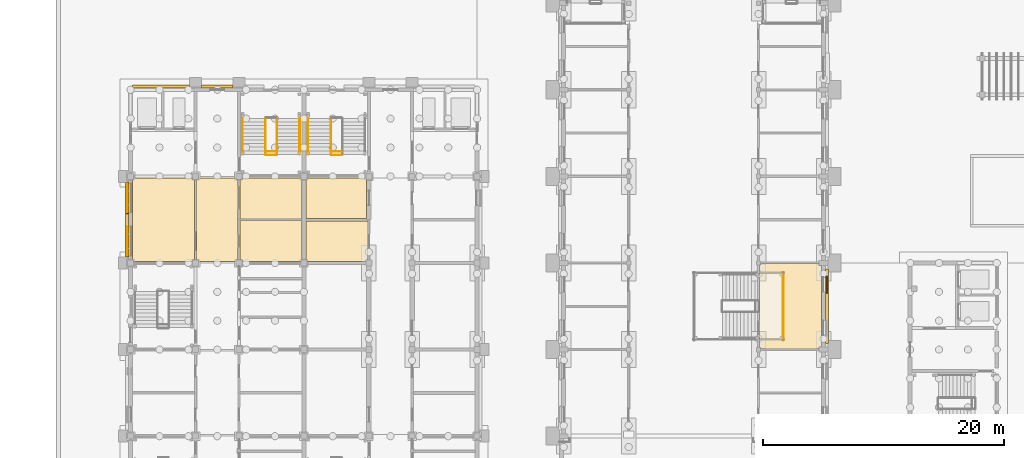
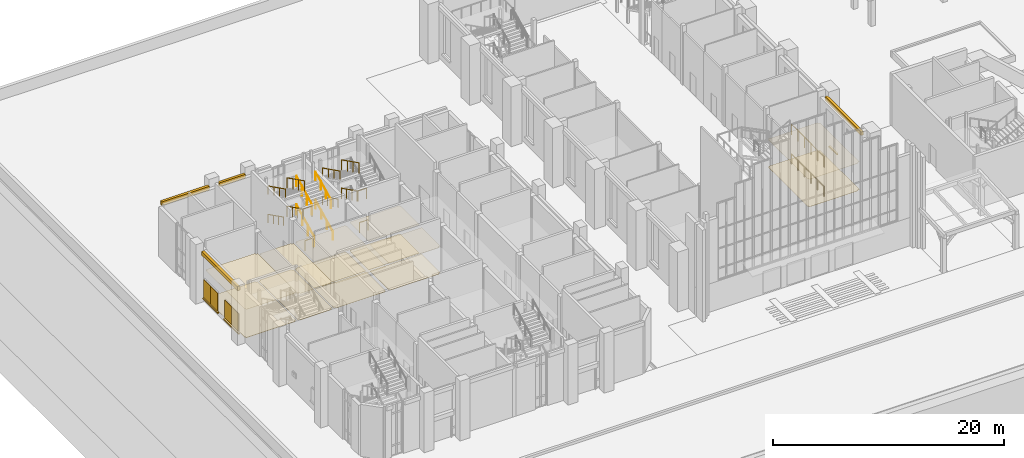
# One storey, part 69 of 84: 25 coverings, 18 railings.
"""IFC4 building model written with IfcOpenShell, lengths in metres."""

from ifc_helpers import new_model, si_unit, direction, frame, origin, origin_2d, place, context, subcontext, project, spatial, polyline, rectangle, circle, outline, extrude, material, layer, layer_set, type_object, element, save


model = new_model("IFC4")

# Units and contexts
model_context = context("Model", 3, precision=1e-05, world=origin(), true_north=direction((0.0, 1.0)))
body_context = subcontext(model_context, "Body", "Model", "MODEL_VIEW")
ifc_project = project(units=[si_unit("LENGTHUNIT", "METRE"), si_unit("AREAUNIT", "SQUARE_METRE"), si_unit("VOLUMEUNIT", "CUBIC_METRE"), si_unit("PLANEANGLEUNIT", "RADIAN"), si_unit("MASSUNIT", "GRAM", prefix="KILO")], contexts=[model_context])

# Site, building, storey
site_placement = place(None, origin())
site = spatial("IfcSite", under=ifc_project, at=site_placement, CompositionType="ELEMENT")
building_placement = place(site_placement, origin())
building = spatial("IfcBuilding", under=site, at=building_placement, Name="Mazhai Court Health Centre", CompositionType="ELEMENT")
storey_placement = place(building_placement, origin())
storey = spatial("IfcBuildingStorey", under=building, at=storey_placement, Name="L00", CompositionType="ELEMENT", Elevation=0.0)

# Coverings
ifc_material_1 = material(Name="Clay brick masonry", Category="masonry")
ifc_layer_1 = layer(ifc_material_1, 0.25)
ifc_layer_set_1 = layer_set([ifc_layer_1], Name="BRICK BAND 250")
covering_type_1 = type_object("IfcCoveringType", Name="BRICK BAND 250", PredefinedType="MOLDING", material=ifc_layer_set_1)
covering_1_placement = place(storey_placement, frame((0.0, 0.0, 5.0)))
element("IfcCovering", 1, at=covering_1_placement, inside=storey, type_object=covering_type_1, Name="EB-V2-L00-A3p0-0", PredefinedType="MOLDING", context=body_context, shape_type="SweptSolid", body=[
    extrude(outline(polyline([(6.034912109375, 28.300048828125), (6.034912109375, 34.5), (5.784912109375, 34.5), (5.784912109375, 28.300048828125), (6.034912109375, 28.300048828125)])), origin(), (0.0, 0.0, 1.0), 0.39990234375),
])
covering_2_placement = place(storey_placement, frame((0.0, 0.0, 5.25)))
element("IfcCovering", 2, at=covering_2_placement, inside=storey, type_object=covering_type_1, Name="EB-V2-L00-Ep0-0", PredefinedType="MOLDING", context=body_context, shape_type="SweptSolid", body=[
    extrude(outline(polyline([(6.364990234375, 42.364990234375), (11.10009765625, 42.364990234375), (11.10009765625, 42.614990234375), (6.364990234375, 42.614990234375), (6.364990234375, 42.364990234375)])), origin(), (0.0, 0.0, 1.0), 0.39990234375),
])
covering_3_placement = place(storey_placement, frame((0.0, 0.0, 5.25)))
element("IfcCovering", 3, at=covering_3_placement, inside=storey, type_object=covering_type_1, Name="EB-V2-L00-Ep0-1", PredefinedType="MOLDING", context=body_context, shape_type="SweptSolid", body=[
    extrude(outline(polyline([(12.10009765625, 42.364990234375), (14.699951171875, 42.364990234375), (14.699951171875, 42.614990234375), (12.10009765625, 42.614990234375), (12.10009765625, 42.364990234375)])), origin(), (0.0, 0.0, 1.0), 0.39990234375),
])
covering_4_placement = place(storey_placement, frame((0.0, 0.0, 5.3701171875)))
element("IfcCovering", 4, at=covering_4_placement, inside=storey, type_object=covering_type_1, Name="EB-V1-L00-E1-0", PredefinedType="MOLDING", context=body_context, shape_type="SweptSolid", body=[
    extrude(outline(polyline([(63.965087890625, 27.300048828125), (63.965087890625, 21.10009765625), (64.215087890625, 21.10009765625), (64.215087890625, 27.300048828125), (63.965087890625, 27.300048828125)])), origin(), (0.0, 0.0, 1.0), 0.39990234375),
])
ifc_material_2 = material(Name="Clay brick masonry", Category="masonry")
ifc_layer_2 = layer(ifc_material_2, 0.14990234375)
ifc_layer_set_2 = layer_set([ifc_layer_2], Name="BRICK SILL COURSE 150")
covering_type_2 = type_object("IfcCoveringType", Name="BRICK SILL COURSE 150", PredefinedType="MOLDING", material=ifc_layer_set_2)
covering_5_placement = place(storey_placement, frame((0.0, 0.0, 0.330078125)))
element("IfcCovering", 5, at=covering_5_placement, inside=storey, type_object=covering_type_2, Name="ES-WN-V2-L00-A30", PredefinedType="MOLDING", context=body_context, shape_type="SweptSolid", body=[
    extrude(outline(polyline([(6.034912109375, 28.300048828125), (6.034912109375, 30.89990234375), (5.885009765625, 30.89990234375), (5.885009765625, 28.300048828125), (6.034912109375, 28.300048828125)])), origin(), (0.0, 0.0, 1.0), 0.119873046875),
])
covering_6_placement = place(storey_placement, frame((0.0, 0.0, 0.330078125)))
element("IfcCovering", 6, at=covering_6_placement, inside=storey, type_object=covering_type_2, Name="ES-WN-V2-L00-A31", PredefinedType="MOLDING", context=body_context, shape_type="SweptSolid", body=[
    extrude(outline(polyline([(6.034912109375, 31.89990234375), (6.034912109375, 34.5), (5.885009765625, 34.5), (5.885009765625, 31.89990234375), (6.034912109375, 31.89990234375)])), origin(), (0.0, 0.0, 1.0), 0.119873046875),
])
covering_7_placement = place(storey_placement, frame((0.0, 0.0, 0.780029296875)))
element("IfcCovering", 7, at=covering_7_placement, inside=storey, type_object=covering_type_2, Name="ES-WN-V1-L00-E1b", PredefinedType="MOLDING", context=body_context, shape_type="SweptSolid", body=[
    extrude(outline(polyline([(63.965087890625, 26.699951171875), (63.965087890625, 25.300048828125), (64.114990234375, 25.300048828125), (64.114990234375, 26.699951171875), (63.965087890625, 26.699951171875)])), origin(), (0.0, 0.0, 1.0), 0.119873046875),
])
ifc_material_3 = material(Name="Gypsum plasterboard ceiling")
ifc_layer_3 = layer(ifc_material_3, 0.02001953125)
ifc_layer_set_3 = layer_set([ifc_layer_3], Name="CEILING GYPSUM BOARD 20")
covering_type_3 = type_object("IfcCoveringType", Name="CEILING GYPSUM BOARD 20", PredefinedType="CEILING", material=ifc_layer_set_3)
covering_8_placement = place(storey_placement, frame((0.0, 0.0, 2.800048828125)))
element("IfcCovering", 8, at=covering_8_placement, inside=storey, type_object=covering_type_3, Name="ceil-V2-L00-B1-pre-operative-bay", PredefinedType="CEILING", context=body_context, shape_type="SweptSolid", body=[
    extrude(outline(polyline([(20.43505859375, 34.75), (20.35009765625, 34.75), (20.35009765625, 34.875), (15.449951171875, 34.875), (15.449951171875, 34.75), (15.27490234375, 34.75), (15.27490234375, 31.47509765625), (20.43505859375, 31.47509765625), (20.43505859375, 34.75)])), origin(), (0.0, 0.0, 1.0), 0.02001953125),
])
covering_9_placement = place(storey_placement, frame((0.0, 0.0, 2.800048828125)))
element("IfcCovering", 9, at=covering_9_placement, inside=storey, type_object=covering_type_3, Name="ceil-V5-L00-A0-ultrasound-room-1", PredefinedType="CEILING", context=body_context, shape_type="SweptSolid", body=[
    extrude(outline(polyline([(20.764892578125, 28.050048828125), (20.85009765625, 28.050048828125), (20.85009765625, 27.9150390625), (25.75, 27.9150390625), (25.75, 28.050048828125), (25.925048828125, 28.050048828125), (25.925048828125, 31.284912109375), (20.764892578125, 31.284912109375), (20.764892578125, 28.050048828125)])), origin(), (0.0, 0.0, 1.0), 0.02001953125),
])
covering_10_placement = place(storey_placement, frame((0.0, 0.0, 3.0)))
element("IfcCovering", 10, at=covering_10_placement, inside=storey, type_object=covering_type_3, Name="ceil-V5-L00-A0-opg-room", PredefinedType="CEILING", context=body_context, shape_type="SweptSolid", body=[
    extrude(outline(polyline([(25.824951171875, 34.75), (25.75, 34.75), (25.75, 34.875), (20.85009765625, 34.875), (20.85009765625, 34.75), (20.764892578125, 34.75), (20.764892578125, 31.514892578125), (25.824951171875, 31.514892578125), (25.824951171875, 34.75)])), origin(), (0.0, 0.0, 1.0), 0.02001953125),
])
covering_11_placement = place(storey_placement, frame((0.0, 0.0, 2.89990234375)))
element("IfcCovering", 11, at=covering_11_placement, inside=storey, type_object=covering_type_3, Name="ceil-V1-L00-E-information-and-enquiry-room", PredefinedType="CEILING", context=body_context, shape_type="SweptSolid", body=[
    extrude(outline(polyline([(63.635009765625, 27.60009765625), (63.43994140625, 27.60009765625), (63.43994140625, 27.737548828125), (58.580078125, 27.737548828125), (58.580078125, 27.6201171875), (58.47509765625, 27.6201171875), (58.47509765625, 20.780029296875), (58.580078125, 20.780029296875), (58.580078125, 20.66259765625), (63.43994140625, 20.66259765625), (63.43994140625, 20.800048828125), (63.635009765625, 20.800048828125), (63.635009765625, 27.60009765625)])), origin(), (0.0, 0.0, 1.0), 0.02001953125),
])
ifc_material_4 = material(Name="Mineral fibre ceiling tile")
ifc_layer_4 = layer(ifc_material_4, 0.014892578125)
ifc_layer_set_4 = layer_set([ifc_layer_4], Name="CEILING MINERAL FIBRE TILE 15")
covering_type_4 = type_object("IfcCoveringType", Name="CEILING MINERAL FIBRE TILE 15", PredefinedType="CEILING", material=ifc_layer_set_4)
covering_12_placement = place(storey_placement, frame((0.0, 0.0, 3.0)))
element("IfcCovering", 12, at=covering_12_placement, inside=storey, type_object=covering_type_4, Name="ceil-V2-L00-A1-day-surgery-waiting-lounge", PredefinedType="CEILING", context=body_context, shape_type="SweptSolid", body=[
    extrude(outline(polyline([(11.52490234375, 34.75), (11.35009765625, 34.75), (11.35009765625, 34.875), (6.449951171875, 34.875), (6.449951171875, 34.75), (6.364990234375, 34.75), (6.364990234375, 28.050048828125), (6.449951171875, 28.050048828125), (6.449951171875, 27.925048828125), (11.35009765625, 27.925048828125), (11.35009765625, 28.050048828125), (11.52490234375, 28.050048828125), (11.52490234375, 34.75)])), origin(), (0.0, 0.0, 1.0), 0.014892578125),
])
covering_13_placement = place(storey_placement, frame((0.0, 0.0, 2.800048828125)))
element("IfcCovering", 13, at=covering_13_placement, inside=storey, type_object=covering_type_4, Name="ceil-V2-L00-corridor-1", PredefinedType="CEILING", context=body_context, shape_type="SweptSolid", body=[
    extrude(outline(polyline([(14.949951171875, 27.925048828125), (14.949951171875, 28.050048828125), (15.125, 28.050048828125), (15.125, 34.75), (14.949951171875, 34.75), (14.949951171875, 34.875), (11.85009765625, 34.875), (11.85009765625, 34.75), (11.675048828125, 34.75), (11.675048828125, 28.050048828125), (11.85009765625, 28.050048828125), (11.85009765625, 27.925048828125), (14.949951171875, 27.925048828125)])), origin(), (0.0, 0.0, 1.0), 0.014892578125),
])
ifc_material_5 = material(Name="Moisture resistant gypsum ceiling")
ifc_layer_5 = layer(ifc_material_5, 0.014892578125)
ifc_layer_set_5 = layer_set([ifc_layer_5], Name="CEILING MOISTURE RESISTANT BOARD 15")
covering_type_5 = type_object("IfcCoveringType", Name="CEILING MOISTURE RESISTANT BOARD 15", PredefinedType="CEILING", material=ifc_layer_set_5)
covering_14_placement = place(storey_placement, frame((0.0, 0.0, 2.60009765625)))
element("IfcCovering", 14, at=covering_14_placement, inside=storey, type_object=covering_type_5, Name="ceil-V2-L00-B1-patient-changing-room", PredefinedType="CEILING", context=body_context, shape_type="SweptSolid", body=[
    extrude(outline(polyline([(15.27490234375, 28.050048828125), (15.449951171875, 28.050048828125), (15.449951171875, 27.925048828125), (20.35009765625, 27.925048828125), (20.35009765625, 28.050048828125), (20.43505859375, 28.050048828125), (20.43505859375, 31.324951171875), (15.27490234375, 31.324951171875), (15.27490234375, 28.050048828125)])), origin(), (0.0, 0.0, 1.0), 0.014892578125),
])
ifc_material_6 = material(Name="Antistatic vinyl flooring")
ifc_layer_6 = layer(ifc_material_6, 0.02001953125)
ifc_layer_set_6 = layer_set([ifc_layer_6], Name="FLOOR FINISH ANTISTATIC VINYL FLOORING 20")
covering_type_6 = type_object("IfcCoveringType", Name="FLOOR FINISH ANTISTATIC VINYL FLOORING 20", PredefinedType="FLOORING", material=ifc_layer_set_6)
covering_15_placement = place(storey_placement, origin())
element("IfcCovering", 15, at=covering_15_placement, inside=storey, type_object=covering_type_6, Name="floor-V5-L00-A0-opg-room", PredefinedType="FLOORING", context=body_context, shape_type="SweptSolid", body=[
    extrude(outline(polyline([(25.824951171875, 34.75), (25.75, 34.75), (25.75, 34.875), (20.85009765625, 34.875), (20.85009765625, 34.75), (20.764892578125, 34.75), (20.764892578125, 31.514892578125), (25.824951171875, 31.514892578125), (25.824951171875, 34.75)])), origin(), (0.0, 0.0, 1.0), 0.02001953125),
])
ifc_material_7 = material(Name="Heavy duty vinyl flooring")
ifc_layer_7 = layer(ifc_material_7, 0.02001953125)
ifc_layer_set_7 = layer_set([ifc_layer_7], Name="FLOOR FINISH HEAVY DUTY VINYL FLOORING 20")
covering_type_7 = type_object("IfcCoveringType", Name="FLOOR FINISH HEAVY DUTY VINYL FLOORING 20", PredefinedType="FLOORING", material=ifc_layer_set_7)
covering_16_placement = place(storey_placement, origin())
element("IfcCovering", 16, at=covering_16_placement, inside=storey, type_object=covering_type_7, Name="floor-V2-L00-B1-pre-operative-bay", PredefinedType="FLOORING", context=body_context, shape_type="SweptSolid", body=[
    extrude(outline(polyline([(20.43505859375, 34.75), (20.35009765625, 34.75), (20.35009765625, 34.875), (15.449951171875, 34.875), (15.449951171875, 34.75), (15.27490234375, 34.75), (15.27490234375, 31.47509765625), (20.43505859375, 31.47509765625), (20.43505859375, 34.75)])), origin(), (0.0, 0.0, 1.0), 0.02001953125),
])
covering_17_placement = place(storey_placement, origin())
element("IfcCovering", 17, at=covering_17_placement, inside=storey, type_object=covering_type_7, Name="floor-V5-L00-A0-ultrasound-room-1", PredefinedType="FLOORING", context=body_context, shape_type="SweptSolid", body=[
    extrude(outline(polyline([(20.764892578125, 28.050048828125), (20.85009765625, 28.050048828125), (20.85009765625, 27.9150390625), (25.75, 27.9150390625), (25.75, 28.050048828125), (25.925048828125, 28.050048828125), (25.925048828125, 31.284912109375), (20.764892578125, 31.284912109375), (20.764892578125, 28.050048828125)])), origin(), (0.0, 0.0, 1.0), 0.02001953125),
])
ifc_material_8 = material(Name="Linoleum flooring")
ifc_layer_8 = layer(ifc_material_8, 0.02001953125)
ifc_layer_set_8 = layer_set([ifc_layer_8], Name="FLOOR FINISH LINOLEUM FLOORING 20")
covering_type_8 = type_object("IfcCoveringType", Name="FLOOR FINISH LINOLEUM FLOORING 20", PredefinedType="FLOORING", material=ifc_layer_set_8)
covering_18_placement = place(storey_placement, origin())
element("IfcCovering", 18, at=covering_18_placement, inside=storey, type_object=covering_type_8, Name="floor-V1-L00-E-information-and-enquiry-room", PredefinedType="FLOORING", context=body_context, shape_type="SweptSolid", body=[
    extrude(outline(polyline([(63.635009765625, 27.60009765625), (63.43994140625, 27.60009765625), (63.43994140625, 27.737548828125), (58.580078125, 27.737548828125), (58.580078125, 27.6201171875), (58.47509765625, 27.6201171875), (58.47509765625, 20.780029296875), (58.580078125, 20.780029296875), (58.580078125, 20.66259765625), (63.43994140625, 20.66259765625), (63.43994140625, 20.800048828125), (63.635009765625, 20.800048828125), (63.635009765625, 27.60009765625)])), origin(), (0.0, 0.0, 1.0), 0.02001953125),
])
ifc_material_9 = material(Name="Porcelain tile flooring")
ifc_layer_9 = layer(ifc_material_9, 0.02490234375)
ifc_layer_set_9 = layer_set([ifc_layer_9], Name="FLOOR FINISH PORCELAIN TILE FLOORING 25")
covering_type_9 = type_object("IfcCoveringType", Name="FLOOR FINISH PORCELAIN TILE FLOORING 25", PredefinedType="FLOORING", material=ifc_layer_set_9)
covering_19_placement = place(storey_placement, origin())
element("IfcCovering", 19, at=covering_19_placement, inside=storey, type_object=covering_type_9, Name="floor-V2-L00-B1-patient-changing-room", PredefinedType="FLOORING", context=body_context, shape_type="SweptSolid", body=[
    extrude(outline(polyline([(15.27490234375, 28.050048828125), (15.449951171875, 28.050048828125), (15.449951171875, 27.925048828125), (20.35009765625, 27.925048828125), (20.35009765625, 28.050048828125), (20.43505859375, 28.050048828125), (20.43505859375, 31.324951171875), (15.27490234375, 31.324951171875), (15.27490234375, 28.050048828125)])), origin(), (0.0, 0.0, 1.0), 0.02490234375),
])
ifc_material_10 = material(Name="Terrazzo flooring")
ifc_layer_10 = layer(ifc_material_10, 0.0400390625)
ifc_layer_set_10 = layer_set([ifc_layer_10], Name="FLOOR FINISH TERRAZZO FLOORING 40")
covering_type_10 = type_object("IfcCoveringType", Name="FLOOR FINISH TERRAZZO FLOORING 40", PredefinedType="FLOORING", material=ifc_layer_set_10)
covering_20_placement = place(storey_placement, origin())
element("IfcCovering", 20, at=covering_20_placement, inside=storey, type_object=covering_type_10, Name="floor-V2-L00-A1-day-surgery-waiting-lounge", PredefinedType="FLOORING", context=body_context, shape_type="SweptSolid", body=[
    extrude(outline(polyline([(11.52490234375, 34.75), (11.35009765625, 34.75), (11.35009765625, 34.875), (6.449951171875, 34.875), (6.449951171875, 34.75), (6.364990234375, 34.75), (6.364990234375, 28.050048828125), (6.449951171875, 28.050048828125), (6.449951171875, 27.925048828125), (11.35009765625, 27.925048828125), (11.35009765625, 28.050048828125), (11.52490234375, 28.050048828125), (11.52490234375, 34.75)])), origin(), (0.0, 0.0, 1.0), 0.0400390625),
])
covering_21_placement = place(storey_placement, origin())
element("IfcCovering", 21, at=covering_21_placement, inside=storey, type_object=covering_type_10, Name="floor-V2-L00-corridor-1", PredefinedType="FLOORING", context=body_context, shape_type="SweptSolid", body=[
    extrude(outline(polyline([(14.949951171875, 27.925048828125), (14.949951171875, 28.050048828125), (15.125, 28.050048828125), (15.125, 34.75), (14.949951171875, 34.75), (14.949951171875, 34.875), (11.85009765625, 34.875), (11.85009765625, 34.75), (11.675048828125, 34.75), (11.675048828125, 28.050048828125), (11.85009765625, 28.050048828125), (11.85009765625, 27.925048828125), (14.949951171875, 27.925048828125)])), origin(), (0.0, 0.0, 1.0), 0.0400390625),
])
ifc_material_11 = material(Name="Aluminium louvre", Category="aluminium")
ifc_layer_11 = layer(ifc_material_11, 0.0400390625)
ifc_layer_set_11 = layer_set([ifc_layer_11], Name="SHUTTER LEAF 600x40")
covering_type_11 = type_object("IfcCoveringType", Name="SHUTTER LEAF 600x40", PredefinedType="CLADDING", material=ifc_layer_set_11)
for number, where, z_axis, x_axis, name in (
    (22, (5.955078125, 29.0, 0.550048828125), (0.0, 0.0, 1.0), (0.0, 1.0, 0.0), "LV-V2-L00-A30a"),
    (23, (5.955078125, 30.199951171875, 0.550048828125), (0.0, 0.0, 1.0), (0.0, 1.0, 0.0), "LV-V2-L00-A30b"),
    (24, (5.955078125, 32.60009765625, 0.550048828125), (0.0, 0.0, 1.0), (0.0, 1.0, 0.0), "LV-V2-L00-A31a"),
    (25, (5.955078125, 33.800048828125, 0.550048828125), (0.0, 0.0, 1.0), (0.0, 1.0, 0.0), "LV-V2-L00-A31b"),
):
    element("IfcCovering", number, at=place(storey_placement, frame(where, z_axis=z_axis, x_axis=x_axis)), inside=storey, type_object=covering_type_11, Name=name, PredefinedType="CLADDING", context=body_context, shape_type="SweptSolid", body=[
        extrude(rectangle(XDim=1.199951171875, YDim=0.0400390625, at=origin_2d()), origin(), (0.0, 0.0, 1.0), 1.89990234375),
    ])

# Railings
ifc_material_12 = material(Name="Steel IS 2062 E250", Category="steel")
railing_type_1 = type_object("IfcRailingType", Name="STAIR GUARD 1100", PredefinedType="GUARDRAIL", material=ifc_material_12)
railing_1_placement = place(storey_placement, frame((18.35498046875, 36.824951171875, 0.14990234375)))
element("IfcRailing", 26, at=railing_1_placement, inside=storey, type_object=railing_type_1, Name="L00 ST3 stair guard 1", PredefinedType="GUARDRAIL", context=body_context, shape_type="SweptSolid", body=[
    extrude(circle(Radius=0.02392578125, at=origin_2d()), frame((0.0, 0.0, 1.076171875), z_axis=(0.0, 0.894427191, 0.4472135955), x_axis=(-1.0, 0.0, 0.0)), (0.0, 0.0, 1.0), 3.35400390625),
    extrude(circle(Radius=0.02099609375, at=origin_2d()), origin(), (0.0, 0.0, 1.0), 1.052001953125),
    extrude(circle(Radius=0.02099609375, at=origin_2d()), frame((0.0, 1.0, 0.5)), (0.0, 0.0, 1.0), 1.052001953125),
    extrude(circle(Radius=0.02099609375, at=origin_2d()), frame((0.0, 2.0, 1.0)), (0.0, 0.0, 1.0), 1.052001953125),
    extrude(circle(Radius=0.02099609375, at=origin_2d()), frame((0.0, 3.0, 1.5)), (0.0, 0.0, 1.0), 1.052001953125),
])
railing_2_placement = place(storey_placement, frame((17.405029296875, 39.824951171875, 1.800048828125)))
element("IfcRailing", 27, at=railing_2_placement, inside=storey, type_object=railing_type_1, Name="L00 ST3 stair guard 3", PredefinedType="GUARDRAIL", context=body_context, shape_type="SweptSolid", body=[
    extrude(circle(Radius=0.02392578125, at=origin_2d()), frame((0.0, 0.0, 1.076171875), z_axis=(0.0, -0.89444336626, 0.447181243517), x_axis=(1.0, 0.0, 0.0)), (0.0, 0.0, 1.0), 3.0185546875),
    extrude(circle(Radius=0.02099609375, at=origin_2d()), origin(), (0.0, 0.0, 1.0), 1.052001953125),
    extrude(circle(Radius=0.02099609375, at=origin_2d()), frame((0.0, -0.89990234375, 0.449951171875)), (0.0, 0.0, 1.0), 1.052001953125),
    extrude(circle(Radius=0.02099609375, at=origin_2d()), frame((0.0, -1.800048828125, 0.89990234375)), (0.0, 0.0, 1.0), 1.052001953125),
    extrude(circle(Radius=0.02099609375, at=origin_2d()), frame((0.0, -2.699951171875, 1.349853515625)), (0.0, 0.0, 1.0), 1.052001953125),
])
railing_3_placement = place(storey_placement, frame((18.304931640625, 37.074951171875, 3.14990234375)))
element("IfcRailing", 28, at=railing_3_placement, inside=storey, type_object=railing_type_1, Name="L00 ST3 stair guard 4", PredefinedType="GUARDRAIL", context=body_context, shape_type="SweptSolid", body=[
    extrude(circle(Radius=0.02392578125, at=origin_2d()), frame((0.0, 0.0, 1.076171875), z_axis=(-1.0, 0.0, 0.0), x_axis=(0.0, -1.0, 0.0)), (0.0, 0.0, 1.0), 0.849853515625),
    extrude(circle(Radius=0.02099609375, at=origin_2d()), origin(), (0.0, 0.0, 1.0), 1.052001953125),
    extrude(circle(Radius=0.02099609375, at=origin_2d()), frame((-0.849853515625, 0.0, 0.0)), (0.0, 0.0, 1.0), 1.052001953125),
])
railing_4_placement = place(storey_placement, frame((18.35498046875, 37.125, 3.300048828125)))
element("IfcRailing", 29, at=railing_4_placement, inside=storey, type_object=railing_type_1, Name="L00 ST3 stair guard 5", PredefinedType="GUARDRAIL", context=body_context, shape_type="SweptSolid", body=[
    extrude(circle(Radius=0.02392578125, at=origin_2d()), frame((0.0, 0.0, 1.076171875), z_axis=(0.0, 0.89444336626, 0.447181243517), x_axis=(-1.0, 0.0, 0.0)), (0.0, 0.0, 1.0), 3.0185546875),
    extrude(circle(Radius=0.02099609375, at=origin_2d()), origin(), (0.0, 0.0, 1.0), 1.052001953125),
    extrude(circle(Radius=0.02099609375, at=origin_2d()), frame((0.0, 0.89990234375, 0.449951171875)), (0.0, 0.0, 1.0), 1.052001953125),
    extrude(circle(Radius=0.02099609375, at=origin_2d()), frame((0.0, 1.800048828125, 0.89990234375)), (0.0, 0.0, 1.0), 1.052001953125),
    extrude(circle(Radius=0.02099609375, at=origin_2d()), frame((0.0, 2.699951171875, 1.349853515625)), (0.0, 0.0, 1.0), 1.052001953125),
])
railing_5_placement = place(storey_placement, frame((17.405029296875, 39.824951171875, 4.800048828125)))
element("IfcRailing", 30, at=railing_5_placement, inside=storey, type_object=railing_type_1, Name="L00 ST3 stair guard 7", PredefinedType="GUARDRAIL", context=body_context, shape_type="SweptSolid", body=[
    extrude(circle(Radius=0.02392578125, at=origin_2d()), frame((0.0, 0.0, 1.076171875), z_axis=(0.0, -0.894427191, 0.4472135955), x_axis=(1.0, 0.0, 0.0)), (0.0, 0.0, 1.0), 3.35400390625),
    extrude(circle(Radius=0.02099609375, at=origin_2d()), origin(), (0.0, 0.0, 1.0), 1.052001953125),
    extrude(circle(Radius=0.02099609375, at=origin_2d()), frame((0.0, -1.0, 0.5)), (0.0, 0.0, 1.0), 1.052001953125),
    extrude(circle(Radius=0.02099609375, at=origin_2d()), frame((0.0, -2.0, 1.0)), (0.0, 0.0, 1.0), 1.052001953125),
    extrude(circle(Radius=0.02099609375, at=origin_2d()), frame((0.0, -3.0, 1.5)), (0.0, 0.0, 1.0), 1.052001953125),
])
railing_6_placement = place(storey_placement, frame((18.304931640625, 36.77490234375, 0.0)))
element("IfcRailing", 31, at=railing_6_placement, inside=storey, type_object=railing_type_1, Name="L00 ST3 stair guard 8", PredefinedType="GUARDRAIL", context=body_context, shape_type="SweptSolid", body=[
    extrude(circle(Radius=0.02392578125, at=origin_2d()), frame((0.0, 0.0, 1.076171875), z_axis=(-1.0, 0.0, 0.0), x_axis=(0.0, -1.0, 0.0)), (0.0, 0.0, 1.0), 0.849853515625),
    extrude(circle(Radius=0.02099609375, at=origin_2d()), origin(), (0.0, 0.0, 1.0), 1.052001953125),
    extrude(circle(Radius=0.02099609375, at=origin_2d()), frame((-0.849853515625, 0.0, 0.0)), (0.0, 0.0, 1.0), 1.052001953125),
])
railing_7_placement = place(storey_placement, frame((22.844970703125, 39.824951171875, 1.800048828125)))
element("IfcRailing", 32, at=railing_7_placement, inside=storey, type_object=railing_type_1, Name="L00 ST5 stair guard 3", PredefinedType="GUARDRAIL", context=body_context, shape_type="SweptSolid", body=[
    extrude(circle(Radius=0.02392578125, at=origin_2d()), frame((0.0, 0.0, 1.076171875), z_axis=(0.0, -0.89444336626, 0.447181243517), x_axis=(1.0, 0.0, 0.0)), (0.0, 0.0, 1.0), 3.0185546875),
    extrude(circle(Radius=0.02099609375, at=origin_2d()), origin(), (0.0, 0.0, 1.0), 1.052001953125),
    extrude(circle(Radius=0.02099609375, at=origin_2d()), frame((0.0, -0.89990234375, 0.449951171875)), (0.0, 0.0, 1.0), 1.052001953125),
    extrude(circle(Radius=0.02099609375, at=origin_2d()), frame((0.0, -1.800048828125, 0.89990234375)), (0.0, 0.0, 1.0), 1.052001953125),
    extrude(circle(Radius=0.02099609375, at=origin_2d()), frame((0.0, -2.699951171875, 1.349853515625)), (0.0, 0.0, 1.0), 1.052001953125),
])
railing_8_placement = place(storey_placement, frame((23.7451171875, 37.074951171875, 3.14990234375)))
element("IfcRailing", 33, at=railing_8_placement, inside=storey, type_object=railing_type_1, Name="L00 ST5 stair guard 4", PredefinedType="GUARDRAIL", context=body_context, shape_type="SweptSolid", body=[
    extrude(circle(Radius=0.02392578125, at=origin_2d()), frame((0.0, 0.0, 1.076171875), z_axis=(-1.0, 0.0, 0.0), x_axis=(0.0, -1.0, 0.0)), (0.0, 0.0, 1.0), 0.85009765625),
    extrude(circle(Radius=0.02099609375, at=origin_2d()), origin(), (0.0, 0.0, 1.0), 1.052001953125),
    extrude(circle(Radius=0.02099609375, at=origin_2d()), frame((-0.85009765625, 0.0, 0.0)), (0.0, 0.0, 1.0), 1.052001953125),
])
railing_9_placement = place(storey_placement, frame((22.844970703125, 39.824951171875, 4.800048828125)))
element("IfcRailing", 34, at=railing_9_placement, inside=storey, type_object=railing_type_1, Name="L00 ST5 stair guard 7", PredefinedType="GUARDRAIL", context=body_context, shape_type="SweptSolid", body=[
    extrude(circle(Radius=0.02392578125, at=origin_2d()), frame((0.0, 0.0, 1.076171875), z_axis=(0.0, -0.894427191, 0.4472135955), x_axis=(1.0, 0.0, 0.0)), (0.0, 0.0, 1.0), 3.35400390625),
    extrude(circle(Radius=0.02099609375, at=origin_2d()), origin(), (0.0, 0.0, 1.0), 1.052001953125),
    extrude(circle(Radius=0.02099609375, at=origin_2d()), frame((0.0, -1.0, 0.5)), (0.0, 0.0, 1.0), 1.052001953125),
    extrude(circle(Radius=0.02099609375, at=origin_2d()), frame((0.0, -2.0, 1.0)), (0.0, 0.0, 1.0), 1.052001953125),
    extrude(circle(Radius=0.02099609375, at=origin_2d()), frame((0.0, -3.0, 1.5)), (0.0, 0.0, 1.0), 1.052001953125),
])
railing_10_placement = place(storey_placement, frame((23.7451171875, 36.77490234375, 0.0)))
element("IfcRailing", 35, at=railing_10_placement, inside=storey, type_object=railing_type_1, Name="L00 ST5 stair guard 8", PredefinedType="GUARDRAIL", context=body_context, shape_type="SweptSolid", body=[
    extrude(circle(Radius=0.02392578125, at=origin_2d()), frame((0.0, 0.0, 1.076171875), z_axis=(-1.0, 0.0, 0.0), x_axis=(0.0, -1.0, 0.0)), (0.0, 0.0, 1.0), 0.85009765625),
    extrude(circle(Radius=0.02099609375, at=origin_2d()), origin(), (0.0, 0.0, 1.0), 1.052001953125),
    extrude(circle(Radius=0.02099609375, at=origin_2d()), frame((-0.85009765625, 0.0, 0.0)), (0.0, 0.0, 1.0), 1.052001953125),
])
for number, where, name in (
    (36, (60.449951171875, 27.02490234375, 3.14990234375), "L00 ST13 stair guard 12"),
    (37, (60.449951171875, 27.02490234375, 0.0), "L00 ST13 stair guard 24"),
):
    element("IfcRailing", number, at=place(storey_placement, frame(where)), inside=storey, type_object=railing_type_1, Name=name, PredefinedType="GUARDRAIL", context=body_context, shape_type="SweptSolid", body=[
        extrude(circle(Radius=0.02392578125, at=origin_2d()), frame((0.0, 0.0, 1.076171875), z_axis=(0.0, -1.0, 0.0), x_axis=(1.0, 0.0, 0.0)), (0.0, 0.0, 1.0), 5.64990234375),
        extrude(circle(Radius=0.02099609375, at=origin_2d()), origin(), (0.0, 0.0, 1.0), 1.052001953125),
        extrude(circle(Radius=0.02099609375, at=origin_2d()), frame((0.0, -1.1298828125, 0.0)), (0.0, 0.0, 1.0), 1.052001953125),
        extrude(circle(Radius=0.02099609375, at=origin_2d()), frame((0.0, -2.260009765625, 0.0)), (0.0, 0.0, 1.0), 1.052001953125),
        extrude(circle(Radius=0.02099609375, at=origin_2d()), frame((0.0, -3.389892578125, 0.0)), (0.0, 0.0, 1.0), 1.052001953125),
        extrude(circle(Radius=0.02099609375, at=origin_2d()), frame((0.0, -4.52001953125, 0.0)), (0.0, 0.0, 1.0), 1.052001953125),
        extrude(circle(Radius=0.02099609375, at=origin_2d()), frame((0.0, -5.64990234375, 0.0)), (0.0, 0.0, 1.0), 1.052001953125),
    ])
ifc_material_13 = material(Name="Steel IS 2062 E250", Category="steel")
railing_type_2 = type_object("IfcRailingType", Name="STAIR HANDRAIL 900", PredefinedType="HANDRAIL", material=ifc_material_13)
railing_11_placement = place(storey_placement, frame((20.2548828125, 36.824951171875, 0.14990234375)))
element("IfcRailing", 38, at=railing_11_placement, inside=storey, type_object=railing_type_2, Name="L00 ST3 stair handrail 1", PredefinedType="HANDRAIL", context=body_context, shape_type="SweptSolid", body=[
    extrude(circle(Radius=0.02392578125, at=origin_2d()), frame((0.0, 0.0, 0.8759765625), z_axis=(0.0, 0.894427191, 0.4472135955), x_axis=(-1.0, 0.0, 0.0)), (0.0, 0.0, 1.0), 3.35400390625),
    extrude(circle(Radius=0.02099609375, at=origin_2d()), origin(), (0.0, 0.0, 1.0), 0.851806640625),
    extrude(circle(Radius=0.02099609375, at=origin_2d()), frame((0.0, 1.0, 0.5)), (0.0, 0.0, 1.0), 0.851806640625),
    extrude(circle(Radius=0.02099609375, at=origin_2d()), frame((0.0, 2.0, 1.0)), (0.0, 0.0, 1.0), 0.851806640625),
    extrude(circle(Radius=0.02099609375, at=origin_2d()), frame((0.0, 3.0, 1.5)), (0.0, 0.0, 1.0), 0.851806640625),
])
railing_12_placement = place(storey_placement, frame((15.5048828125, 39.824951171875, 1.800048828125)))
element("IfcRailing", 39, at=railing_12_placement, inside=storey, type_object=railing_type_2, Name="L00 ST3 stair handrail 2", PredefinedType="HANDRAIL", context=body_context, shape_type="SweptSolid", body=[
    extrude(circle(Radius=0.02392578125, at=origin_2d()), frame((0.0, 0.0, 0.8759765625), z_axis=(0.0, -0.89444336626, 0.447181243517), x_axis=(1.0, 0.0, 0.0)), (0.0, 0.0, 1.0), 3.0185546875),
    extrude(circle(Radius=0.02099609375, at=origin_2d()), origin(), (0.0, 0.0, 1.0), 0.851806640625),
    extrude(circle(Radius=0.02099609375, at=origin_2d()), frame((0.0, -0.89990234375, 0.449951171875)), (0.0, 0.0, 1.0), 0.851806640625),
    extrude(circle(Radius=0.02099609375, at=origin_2d()), frame((0.0, -1.800048828125, 0.89990234375)), (0.0, 0.0, 1.0), 0.851806640625),
    extrude(circle(Radius=0.02099609375, at=origin_2d()), frame((0.0, -2.699951171875, 1.349853515625)), (0.0, 0.0, 1.0), 0.851806640625),
])
railing_13_placement = place(storey_placement, frame((20.2548828125, 37.125, 3.300048828125)))
element("IfcRailing", 40, at=railing_13_placement, inside=storey, type_object=railing_type_2, Name="L00 ST3 stair handrail 3", PredefinedType="HANDRAIL", context=body_context, shape_type="SweptSolid", body=[
    extrude(circle(Radius=0.02392578125, at=origin_2d()), frame((0.0, 0.0, 0.8759765625), z_axis=(0.0, 0.89444336626, 0.447181243517), x_axis=(-1.0, 0.0, 0.0)), (0.0, 0.0, 1.0), 3.0185546875),
    extrude(circle(Radius=0.02099609375, at=origin_2d()), origin(), (0.0, 0.0, 1.0), 0.851806640625),
    extrude(circle(Radius=0.02099609375, at=origin_2d()), frame((0.0, 0.89990234375, 0.449951171875)), (0.0, 0.0, 1.0), 0.851806640625),
    extrude(circle(Radius=0.02099609375, at=origin_2d()), frame((0.0, 1.800048828125, 0.89990234375)), (0.0, 0.0, 1.0), 0.851806640625),
    extrude(circle(Radius=0.02099609375, at=origin_2d()), frame((0.0, 2.699951171875, 1.349853515625)), (0.0, 0.0, 1.0), 0.851806640625),
])
railing_14_placement = place(storey_placement, frame((15.5048828125, 39.824951171875, 4.800048828125)))
element("IfcRailing", 41, at=railing_14_placement, inside=storey, type_object=railing_type_2, Name="L00 ST3 stair handrail 4", PredefinedType="HANDRAIL", context=body_context, shape_type="SweptSolid", body=[
    extrude(circle(Radius=0.02392578125, at=origin_2d()), frame((0.0, 0.0, 0.8759765625), z_axis=(0.0, -0.894427191, 0.4472135955), x_axis=(1.0, 0.0, 0.0)), (0.0, 0.0, 1.0), 3.35400390625),
    extrude(circle(Radius=0.02099609375, at=origin_2d()), origin(), (0.0, 0.0, 1.0), 0.851806640625),
    extrude(circle(Radius=0.02099609375, at=origin_2d()), frame((0.0, -1.0, 0.5)), (0.0, 0.0, 1.0), 0.851806640625),
    extrude(circle(Radius=0.02099609375, at=origin_2d()), frame((0.0, -2.0, 1.0)), (0.0, 0.0, 1.0), 0.851806640625),
    extrude(circle(Radius=0.02099609375, at=origin_2d()), frame((0.0, -3.0, 1.5)), (0.0, 0.0, 1.0), 0.851806640625),
])
railing_15_placement = place(storey_placement, frame((20.945068359375, 39.824951171875, 1.800048828125)))
element("IfcRailing", 42, at=railing_15_placement, inside=storey, type_object=railing_type_2, Name="L00 ST5 stair handrail 2", PredefinedType="HANDRAIL", context=body_context, shape_type="SweptSolid", body=[
    extrude(circle(Radius=0.02392578125, at=origin_2d()), frame((0.0, 0.0, 0.8759765625), z_axis=(0.0, -0.89444336626, 0.447181243517), x_axis=(1.0, 0.0, 0.0)), (0.0, 0.0, 1.0), 3.0185546875),
    extrude(circle(Radius=0.02099609375, at=origin_2d()), origin(), (0.0, 0.0, 1.0), 0.851806640625),
    extrude(circle(Radius=0.02099609375, at=origin_2d()), frame((0.0, -0.89990234375, 0.449951171875)), (0.0, 0.0, 1.0), 0.851806640625),
    extrude(circle(Radius=0.02099609375, at=origin_2d()), frame((0.0, -1.800048828125, 0.89990234375)), (0.0, 0.0, 1.0), 0.851806640625),
    extrude(circle(Radius=0.02099609375, at=origin_2d()), frame((0.0, -2.699951171875, 1.349853515625)), (0.0, 0.0, 1.0), 0.851806640625),
])
railing_16_placement = place(storey_placement, frame((20.945068359375, 39.824951171875, 4.800048828125)))
element("IfcRailing", 43, at=railing_16_placement, inside=storey, type_object=railing_type_2, Name="L00 ST5 stair handrail 4", PredefinedType="HANDRAIL", context=body_context, shape_type="SweptSolid", body=[
    extrude(circle(Radius=0.02392578125, at=origin_2d()), frame((0.0, 0.0, 0.8759765625), z_axis=(0.0, -0.894427191, 0.4472135955), x_axis=(1.0, 0.0, 0.0)), (0.0, 0.0, 1.0), 3.35400390625),
    extrude(circle(Radius=0.02099609375, at=origin_2d()), origin(), (0.0, 0.0, 1.0), 0.851806640625),
    extrude(circle(Radius=0.02099609375, at=origin_2d()), frame((0.0, -1.0, 0.5)), (0.0, 0.0, 1.0), 0.851806640625),
    extrude(circle(Radius=0.02099609375, at=origin_2d()), frame((0.0, -2.0, 1.0)), (0.0, 0.0, 1.0), 0.851806640625),
    extrude(circle(Radius=0.02099609375, at=origin_2d()), frame((0.0, -3.0, 1.5)), (0.0, 0.0, 1.0), 0.851806640625),
])

save(model, "model.ifc")
